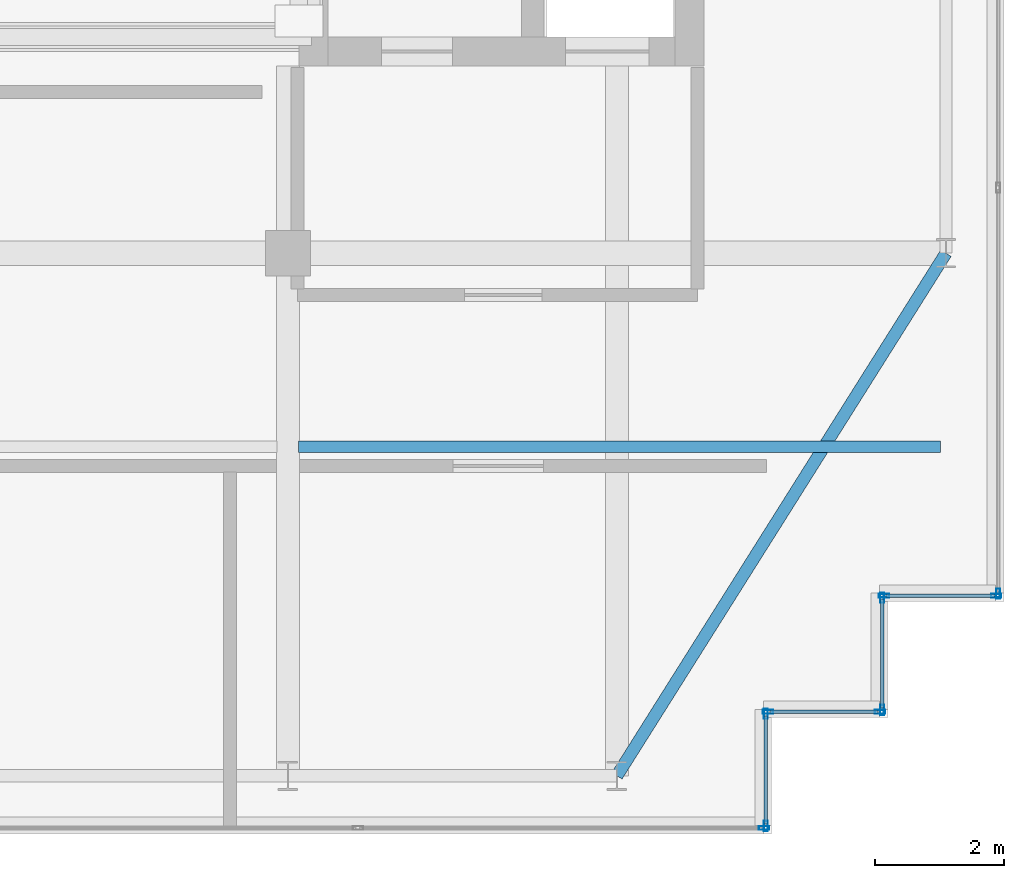
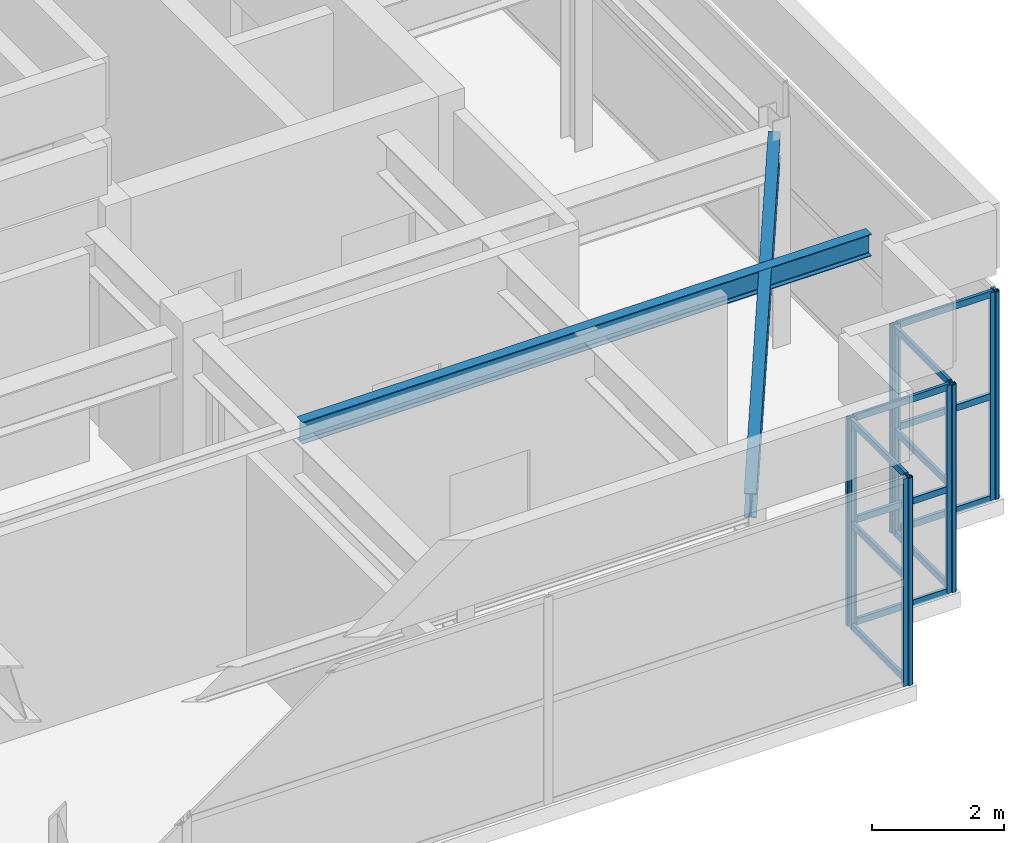
# One storey, part 15 of 33: 22 members, 2 beams, 6 elements without a shape of their own.
"""IFC4 building model written with IfcOpenShell, lengths in metres."""

from ifc_helpers import new_model, si_unit, direction, frame, origin, origin_2d, place, context, subcontext, project, spatial, hollow_rectangle, i_section, extrude, source, transform, mapped, material, layer, layer_set, material_profile, profile_set, type_object, element, aggregate, save


model = new_model("IFC4")

# Units and contexts
model_context = context("Model", 3, precision=1e-05, world=origin(), true_north=direction((0.0, 1.0)))
body_context = subcontext(model_context, "Body", "Model", "MODEL_VIEW")
ifc_project = project(units=[si_unit("LENGTHUNIT", "METRE"), si_unit("AREAUNIT", "SQUARE_METRE"), si_unit("VOLUMEUNIT", "CUBIC_METRE"), si_unit("PLANEANGLEUNIT", "RADIAN"), si_unit("MASSUNIT", "GRAM", prefix="KILO")], contexts=[model_context])

# Site, building, storey
site_placement = place(None, origin())
site = spatial("IfcSite", under=ifc_project, at=site_placement, CompositionType="ELEMENT")
building_placement = place(site_placement, origin())
building = spatial("IfcBuilding", under=site, at=building_placement, Name="Khoralis Quay Care Tower", CompositionType="ELEMENT")
storey_placement = place(building_placement, frame((0.0, 0.0, 314.699951171875)))
storey = spatial("IfcBuildingStorey", under=building, at=storey_placement, Name="L82", CompositionType="ELEMENT", Elevation=314.699951171875)

# Beams
ifc_material_1 = material(Name="Steel S355", Category="steel")
ifc_material_profile_1 = material_profile(ifc_material_1, i_section(OverallWidth=0.18994140625, OverallDepth=0.449951171875, WebThickness=0.009521484375, FlangeThickness=0.0146484375, FilletRadius=0.02099609375, at=origin_2d()), Name="Steel S355")
ifc_profile_set_1 = profile_set([ifc_material_profile_1], Name="Steel S355")
beam_type_1 = type_object("IfcBeamType", Name="BM-IPE450", PredefinedType="SPANDREL", material=ifc_profile_set_1)
shared_shape_1 = source(origin(), body_context, "Body", "SweptSolid", [
    extrude(i_section(OverallWidth=0.18994140625, OverallDepth=0.449951171875, WebThickness=0.009521484375, FlangeThickness=0.0146484375, FilletRadius=0.02099609375, at=origin_2d()), origin(), (0.0, 0.0, 1.0), 9.572021484375),
])
beam_1_placement = place(storey_placement, frame((36.0, 3.89990234375, 3.614990234375), z_axis=(0.532815975602, 0.846231136359, 0.0), x_axis=(-0.846231136359, 0.532815975602, 0.0)))
element("IfcBeam", 1, at=beam_1_placement, inside=storey, type_object=beam_type_1, Name="BM-TCR-L82-18", PredefinedType="SPANDREL", context=body_context, shape_type="MappedRepresentation", body=[
    mapped(shared_shape_1, transform((0.0, 0.0, 0.0), scale=1.0)),
])
ifc_material_profile_2 = material_profile(ifc_material_1, i_section(OverallWidth=0.177978515625, OverallDepth=0.406982421875, WebThickness=0.0078125, FlangeThickness=0.0126953125, FilletRadius=0.012939453125, at=origin_2d()), Name="Steel S355")
ifc_profile_set_2 = profile_set([ifc_material_profile_2], Name="Steel S355")
beam_type_2 = type_object("IfcBeamType", Name="BM-W410X60", PredefinedType="JOIST", material=ifc_profile_set_2)
shared_shape_2 = source(origin(), body_context, "Body", "SweptSolid", [
    extrude(i_section(OverallWidth=0.177978515625, OverallDepth=0.406982421875, WebThickness=0.0078125, FlangeThickness=0.0126953125, FilletRadius=0.012939453125, at=origin_2d()), origin(), (0.0, 0.0, 1.0), 9.95361328125),
])
beam_2_placement = place(storey_placement, frame((31.0654296875, 9.0, 3.636474609375), z_axis=(1.0, 0.0, 0.0), x_axis=(0.0, 1.0, 0.0)))
element("IfcBeam", 2, at=beam_2_placement, inside=storey, type_object=beam_type_2, Name="BM-TJS-L82-22", PredefinedType="JOIST", context=body_context, shape_type="MappedRepresentation", body=[
    mapped(shared_shape_2, transform((0.0, 0.0, 0.0), scale=1.0)),
])

# Curtain wall, members
ifc_material_2 = material(Name="Pale anodised aluminium", Category="aluminium")
ifc_layer = layer(ifc_material_2, 0.199951171875)
ifc_layer_set = layer_set([ifc_layer], Name="Pale anodised aluminium")
curtain_wall_type = type_object("IfcCurtainWallType", Name="CW-SYS-LANTERN", PredefinedType="NOTDEFINED", material=ifc_layer_set)
curtain_wall_1_placement = place(storey_placement, origin())
curtain_wall_1 = element("IfcCurtainWall", 3, at=curtain_wall_1_placement, inside=storey, type_object=curtain_wall_type, Name="L82 Unitised Curtain Wall CW-LN-L82-02", PredefinedType="NOTDEFINED")
ifc_material_profile_3 = material_profile(ifc_material_2, hollow_rectangle(XDim=0.054931640625, YDim=0.1201171875, WallThickness=0.00390625, at=origin_2d()), Name="Pale anodised aluminium")
ifc_profile_set_3 = profile_set([ifc_material_profile_3], Name="Pale anodised aluminium")
member_type_1 = type_object("IfcMemberType", Name="CW-TRN-120", PredefinedType="USERDEFINED", material=ifc_profile_set_3)
shared_shape_3 = source(origin(), body_context, "Body", "SweptSolid", [
    extrude(hollow_rectangle(XDim=0.054931640625, YDim=0.1201171875, WallThickness=0.00390625, at=origin_2d()), origin(), (0.0, 0.0, 1.0), 1.68017578125),
])
member_1_placement = place(storey_placement, frame((38.31005859375, 3.14990234375, 0.030029296875), z_axis=(0.0, 1.0, 0.0), x_axis=(-1.0, 0.0, 0.0)))
member_1 = element("IfcMember", 4, at=member_1_placement, type_object=member_type_1, Name="CW5 transom 1.1", ObjectType="TRANSOM", PredefinedType="USERDEFINED", context=body_context, shape_type="MappedRepresentation", body=[
    mapped(shared_shape_3, transform((0.0, 0.0, 0.0), scale=1.0)),
])
member_2_placement = place(storey_placement, frame((38.31005859375, 3.14990234375, 1.920166015625), z_axis=(0.0, 1.0, 0.0), x_axis=(-1.0, 0.0, 0.0)))
member_2 = element("IfcMember", 5, at=member_2_placement, type_object=member_type_1, Name="CW5 transom 1.2", ObjectType="TRANSOM", PredefinedType="USERDEFINED", context=body_context, shape_type="MappedRepresentation", body=[
    mapped(shared_shape_3, transform((0.0, 0.0, 0.0), scale=1.0)),
])
member_3_placement = place(storey_placement, frame((38.31005859375, 3.14990234375, 3.81005859375), z_axis=(0.0, 1.0, 0.0), x_axis=(-1.0, 0.0, 0.0)))
member_3 = element("IfcMember", 6, at=member_3_placement, type_object=member_type_1, Name="CW5 transom 1.3", ObjectType="TRANSOM", PredefinedType="USERDEFINED", context=body_context, shape_type="MappedRepresentation", body=[
    mapped(shared_shape_3, transform((0.0, 0.0, 0.0), scale=1.0)),
])

curtain_wall_2_placement = place(storey_placement, origin())
curtain_wall_2 = element("IfcCurtainWall", 7, at=curtain_wall_2_placement, inside=storey, type_object=curtain_wall_type, Name="L82 Unitised Curtain Wall CW-LN-L82-05", PredefinedType="NOTDEFINED")
member_4_placement = place(storey_placement, frame((40.169921875, 6.68994140625, 0.030029296875), z_axis=(1.0, 0.0, 0.0), x_axis=(0.0, 1.0, 0.0)))
member_4 = element("IfcMember", 8, at=member_4_placement, type_object=member_type_1, Name="CW5 transom 1.1", ObjectType="TRANSOM", PredefinedType="USERDEFINED", context=body_context, shape_type="MappedRepresentation", body=[
    mapped(shared_shape_3, transform((0.0, 0.0, 0.0), scale=1.0)),
])
member_5_placement = place(storey_placement, frame((40.169921875, 6.68994140625, 1.920166015625), z_axis=(1.0, 0.0, 0.0), x_axis=(0.0, 1.0, 0.0)))
member_5 = element("IfcMember", 9, at=member_5_placement, type_object=member_type_1, Name="CW5 transom 1.2", ObjectType="TRANSOM", PredefinedType="USERDEFINED", context=body_context, shape_type="MappedRepresentation", body=[
    mapped(shared_shape_3, transform((0.0, 0.0, 0.0), scale=1.0)),
])
member_6_placement = place(storey_placement, frame((40.169921875, 6.68994140625, 3.81005859375), z_axis=(1.0, 0.0, 0.0), x_axis=(0.0, 1.0, 0.0)))
member_6 = element("IfcMember", 10, at=member_6_placement, type_object=member_type_1, Name="CW5 transom 1.3", ObjectType="TRANSOM", PredefinedType="USERDEFINED", context=body_context, shape_type="MappedRepresentation", body=[
    mapped(shared_shape_3, transform((0.0, 0.0, 0.0), scale=1.0)),
])

curtain_wall_3_placement = place(storey_placement, origin())
curtain_wall_3 = element("IfcCurtainWall", 11, at=curtain_wall_3_placement, inside=storey, type_object=curtain_wall_type, Name="L82 Unitised Curtain Wall CW-LN-L82-03", PredefinedType="NOTDEFINED")
shared_shape_4 = source(origin(), body_context, "Body", "SweptSolid", [
    extrude(hollow_rectangle(XDim=0.054931640625, YDim=0.1201171875, WallThickness=0.00390625, at=origin_2d()), origin(), (0.0, 0.0, 1.0), 1.679931640625),
])
member_7_placement = place(storey_placement, frame((38.3701171875, 4.889892578125, 0.030029296875), z_axis=(1.0, 0.0, 0.0), x_axis=(0.0, 1.0, 0.0)))
member_7 = element("IfcMember", 12, at=member_7_placement, type_object=member_type_1, Name="CW5 transom 1.1", ObjectType="TRANSOM", PredefinedType="USERDEFINED", context=body_context, shape_type="MappedRepresentation", body=[
    mapped(shared_shape_4, transform((0.0, 0.0, 0.0), scale=1.0)),
])
member_8_placement = place(storey_placement, frame((38.3701171875, 4.889892578125, 1.920166015625), z_axis=(1.0, 0.0, 0.0), x_axis=(0.0, 1.0, 0.0)))
member_8 = element("IfcMember", 13, at=member_8_placement, type_object=member_type_1, Name="CW5 transom 1.2", ObjectType="TRANSOM", PredefinedType="USERDEFINED", context=body_context, shape_type="MappedRepresentation", body=[
    mapped(shared_shape_4, transform((0.0, 0.0, 0.0), scale=1.0)),
])
member_9_placement = place(storey_placement, frame((38.3701171875, 4.889892578125, 3.81005859375), z_axis=(1.0, 0.0, 0.0), x_axis=(0.0, 1.0, 0.0)))
member_9 = element("IfcMember", 14, at=member_9_placement, type_object=member_type_1, Name="CW5 transom 1.3", ObjectType="TRANSOM", PredefinedType="USERDEFINED", context=body_context, shape_type="MappedRepresentation", body=[
    mapped(shared_shape_4, transform((0.0, 0.0, 0.0), scale=1.0)),
])

curtain_wall_4_placement = place(storey_placement, origin())
curtain_wall_4 = element("IfcCurtainWall", 15, at=curtain_wall_4_placement, inside=storey, type_object=curtain_wall_type, Name="L82 Unitised Curtain Wall CW-LN-L82-04", PredefinedType="NOTDEFINED")
member_10_placement = place(storey_placement, frame((40.110107421875, 4.949951171875, 0.030029296875), z_axis=(0.0, 1.0, 0.0), x_axis=(-1.0, 0.0, 0.0)))
member_10 = element("IfcMember", 16, at=member_10_placement, type_object=member_type_1, Name="CW5 transom 1.1", ObjectType="TRANSOM", PredefinedType="USERDEFINED", context=body_context, shape_type="MappedRepresentation", body=[
    mapped(shared_shape_4, transform((0.0, 0.0, 0.0), scale=1.0)),
])
member_11_placement = place(storey_placement, frame((40.110107421875, 4.949951171875, 1.920166015625), z_axis=(0.0, 1.0, 0.0), x_axis=(-1.0, 0.0, 0.0)))
member_11 = element("IfcMember", 17, at=member_11_placement, type_object=member_type_1, Name="CW5 transom 1.2", ObjectType="TRANSOM", PredefinedType="USERDEFINED", context=body_context, shape_type="MappedRepresentation", body=[
    mapped(shared_shape_4, transform((0.0, 0.0, 0.0), scale=1.0)),
])
member_12_placement = place(storey_placement, frame((40.110107421875, 4.949951171875, 3.81005859375), z_axis=(0.0, 1.0, 0.0), x_axis=(-1.0, 0.0, 0.0)))
member_12 = element("IfcMember", 18, at=member_12_placement, type_object=member_type_1, Name="CW5 transom 1.3", ObjectType="TRANSOM", PredefinedType="USERDEFINED", context=body_context, shape_type="MappedRepresentation", body=[
    mapped(shared_shape_4, transform((0.0, 0.0, 0.0), scale=1.0)),
])

# Curtain wall, member
curtain_wall_5_placement = place(storey_placement, origin())
curtain_wall_5 = element("IfcCurtainWall", 19, at=curtain_wall_5_placement, inside=storey, type_object=curtain_wall_type, Name="L82 Unitised Curtain Wall CW-LN-L82-01", PredefinedType="NOTDEFINED")
ifc_material_profile_4 = material_profile(ifc_material_2, hollow_rectangle(XDim=0.06005859375, YDim=0.159912109375, WallThickness=0.00390625, at=origin_2d()), Name="Pale anodised aluminium")
ifc_profile_set_4 = profile_set([ifc_material_profile_4], Name="Pale anodised aluminium")
member_type_2 = type_object("IfcMemberType", Name="CW-MUL-160", PredefinedType="MULLION", material=ifc_profile_set_4)
shared_shape_5 = source(origin(), body_context, "Body", "SweptSolid", [
    extrude(hollow_rectangle(XDim=0.06005859375, YDim=0.159912109375, WallThickness=0.00390625, at=origin_2d()), origin(), (0.0, 0.0, 1.0), 3.840087890625),
])
member_13_placement = place(storey_placement, frame((38.280029296875, 3.090087890625, 0.0), z_axis=(0.0, 0.0, 1.0), x_axis=(0.0, 1.0, 0.0)))
member_13 = element("IfcMember", 20, at=member_13_placement, type_object=member_type_2, Name="CW5 mullion 6", PredefinedType="MULLION", context=body_context, shape_type="MappedRepresentation", body=[
    mapped(shared_shape_5, transform((0.0, 0.0, 0.0), scale=1.0)),
])
aggregate(curtain_wall_5, [member_13])

# Member
member_14_placement = place(storey_placement, frame((38.31005859375, 3.1201171875, 0.0), z_axis=(0.0, 0.0, 1.0), x_axis=(-1.0, 0.0, 0.0)))
member_14 = element("IfcMember", 21, at=member_14_placement, type_object=member_type_2, Name="CW5 mullion 1", PredefinedType="MULLION", context=body_context, shape_type="MappedRepresentation", body=[
    mapped(shared_shape_5, transform((0.0, 0.0, 0.0), scale=1.0)),
])

member_15_placement = place(storey_placement, frame((38.31005859375, 4.860107421875, 0.0), z_axis=(0.0, 0.0, 1.0), x_axis=(-1.0, 0.0, 0.0)))
member_15 = element("IfcMember", 22, at=member_15_placement, type_object=member_type_2, Name="CW5 mullion 2", PredefinedType="MULLION", context=body_context, shape_type="MappedRepresentation", body=[
    mapped(shared_shape_5, transform((0.0, 0.0, 0.0), scale=1.0)),
])

aggregate(curtain_wall_1, [member_14, member_15, member_1, member_2, member_3])

member_16_placement = place(storey_placement, frame((38.340087890625, 4.889892578125, 0.0), z_axis=(0.0, 0.0, 1.0), x_axis=(0.0, 1.0, 0.0)))
member_16 = element("IfcMember", 23, at=member_16_placement, type_object=member_type_2, Name="CW5 mullion 1", PredefinedType="MULLION", context=body_context, shape_type="MappedRepresentation", body=[
    mapped(shared_shape_5, transform((0.0, 0.0, 0.0), scale=1.0)),
])

member_17_placement = place(storey_placement, frame((40.080078125, 4.889892578125, 0.0), z_axis=(0.0, 0.0, 1.0), x_axis=(0.0, 1.0, 0.0)))
member_17 = element("IfcMember", 24, at=member_17_placement, type_object=member_type_2, Name="CW5 mullion 2", PredefinedType="MULLION", context=body_context, shape_type="MappedRepresentation", body=[
    mapped(shared_shape_5, transform((0.0, 0.0, 0.0), scale=1.0)),
])

aggregate(curtain_wall_3, [member_16, member_17, member_7, member_8, member_9])

member_18_placement = place(storey_placement, frame((40.110107421875, 4.919921875, 0.0), z_axis=(0.0, 0.0, 1.0), x_axis=(-1.0, 0.0, 0.0)))
member_18 = element("IfcMember", 25, at=member_18_placement, type_object=member_type_2, Name="CW5 mullion 1", PredefinedType="MULLION", context=body_context, shape_type="MappedRepresentation", body=[
    mapped(shared_shape_5, transform((0.0, 0.0, 0.0), scale=1.0)),
])

member_19_placement = place(storey_placement, frame((40.110107421875, 6.659912109375, 0.0), z_axis=(0.0, 0.0, 1.0), x_axis=(-1.0, 0.0, 0.0)))
member_19 = element("IfcMember", 26, at=member_19_placement, type_object=member_type_2, Name="CW5 mullion 2", PredefinedType="MULLION", context=body_context, shape_type="MappedRepresentation", body=[
    mapped(shared_shape_5, transform((0.0, 0.0, 0.0), scale=1.0)),
])

aggregate(curtain_wall_4, [member_18, member_19, member_10, member_11, member_12])

member_20_placement = place(storey_placement, frame((40.139892578125, 6.68994140625, 0.0), z_axis=(0.0, 0.0, 1.0), x_axis=(0.0, 1.0, 0.0)))
member_20 = element("IfcMember", 27, at=member_20_placement, type_object=member_type_2, Name="CW5 mullion 1", PredefinedType="MULLION", context=body_context, shape_type="MappedRepresentation", body=[
    mapped(shared_shape_5, transform((0.0, 0.0, 0.0), scale=1.0)),
])

member_21_placement = place(storey_placement, frame((41.8798828125, 6.68994140625, 0.0), z_axis=(0.0, 0.0, 1.0), x_axis=(0.0, 1.0, 0.0)))
member_21 = element("IfcMember", 28, at=member_21_placement, type_object=member_type_2, Name="CW5 mullion 2", PredefinedType="MULLION", context=body_context, shape_type="MappedRepresentation", body=[
    mapped(shared_shape_5, transform((0.0, 0.0, 0.0), scale=1.0)),
])

aggregate(curtain_wall_2, [member_20, member_21, member_4, member_5, member_6])

# Curtain wall, member
curtain_wall_6_placement = place(storey_placement, origin())
curtain_wall_6 = element("IfcCurtainWall", 29, at=curtain_wall_6_placement, inside=storey, type_object=curtain_wall_type, Name="L82 Unitised Curtain Wall CW-LN-L82-06", PredefinedType="NOTDEFINED")
member_22_placement = place(storey_placement, frame((41.909912109375, 6.719970703125, 0.0), z_axis=(0.0, 0.0, 1.0), x_axis=(-1.0, 0.0, 0.0)))
member_22 = element("IfcMember", 30, at=member_22_placement, type_object=member_type_2, Name="CW5 mullion 1", PredefinedType="MULLION", context=body_context, shape_type="MappedRepresentation", body=[
    mapped(shared_shape_5, transform((0.0, 0.0, 0.0), scale=1.0)),
])
aggregate(curtain_wall_6, [member_22])

save(model, "model.ifc")
